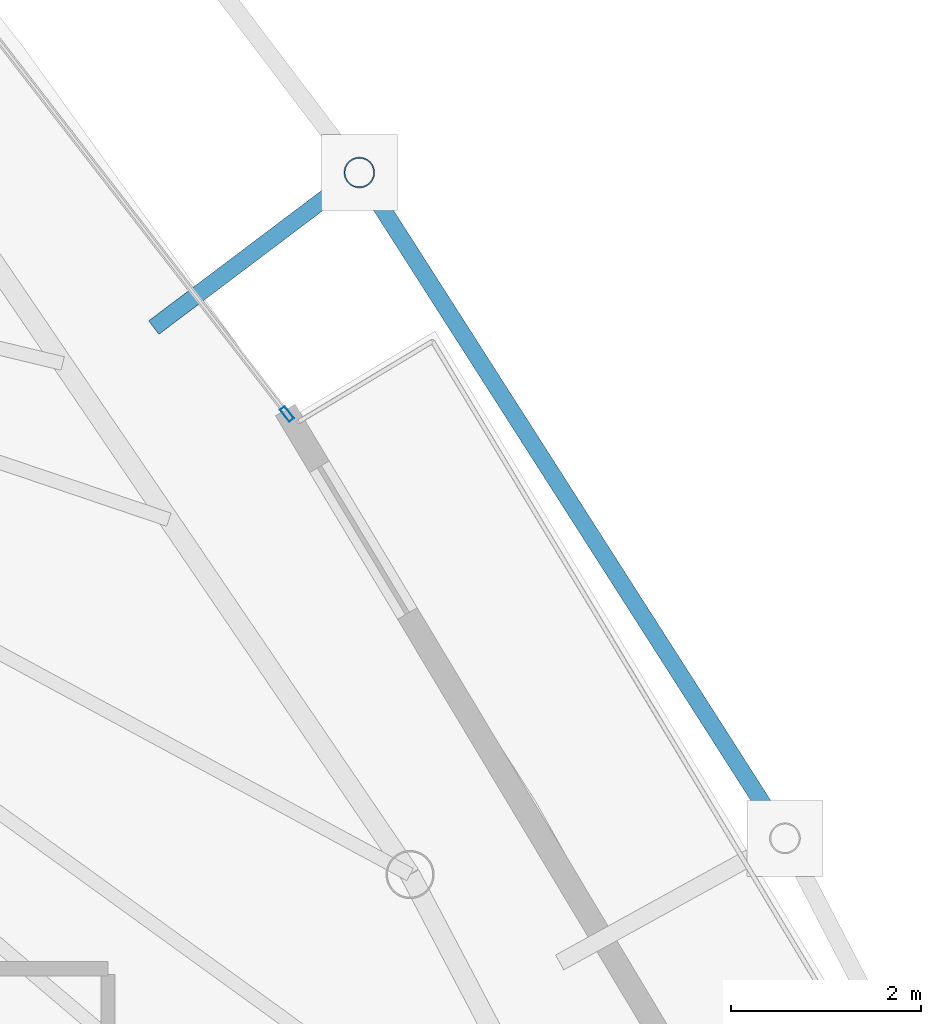
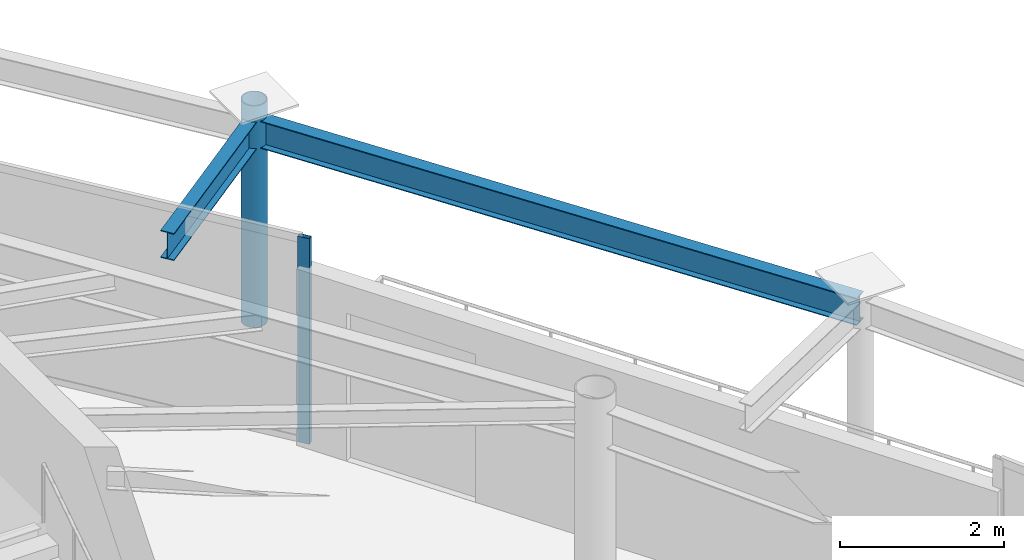
# One storey, part 19 of 29: 2 beams, 2 members, 1 element without a shape of its own.
"""IFC4 building model written with IfcOpenShell, lengths in metres."""

from ifc_helpers import new_model, si_unit, direction, frame, origin, origin_2d, place, context, subcontext, project, spatial, hollow_rectangle, hollow_circle, i_section, extrude, material, layer, layer_set, material_profile, profile_set, type_object, element, aggregate, save


model = new_model("IFC4")

# Units and contexts
model_context = context("Model", 3, precision=1e-05, world=origin(), true_north=direction((0.0, 1.0)))
body_context = subcontext(model_context, "Body", "Model", "MODEL_VIEW")
ifc_project = project(units=[si_unit("LENGTHUNIT", "METRE"), si_unit("AREAUNIT", "SQUARE_METRE"), si_unit("VOLUMEUNIT", "CUBIC_METRE"), si_unit("PLANEANGLEUNIT", "RADIAN"), si_unit("MASSUNIT", "GRAM", prefix="KILO")], contexts=[model_context])

# Site, building, storey
site_placement = place(None, origin())
site = spatial("IfcSite", under=ifc_project, at=site_placement, CompositionType="ELEMENT")
building_placement = place(site_placement, origin())
building = spatial("IfcBuilding", under=site, at=building_placement, Name="Orvanel Arch Residences", CompositionType="ELEMENT")
storey_placement = place(building_placement, frame((0.0, 0.0, 256.85009765625)))
storey = spatial("IfcBuildingStorey", under=building, at=storey_placement, Name="L73", CompositionType="ELEMENT", Elevation=256.85009765625)

# Curtain wall, member
ifc_material_1 = material(Name="Bronze-anodised aluminium AA6063-T6", Category="aluminium")
ifc_layer = layer(ifc_material_1, 0.175048828125)
ifc_layer_set = layer_set([ifc_layer], Name="Bronze-anodised aluminium AA6063-T6")
curtain_wall_type = type_object("IfcCurtainWallType", Name="CW4-HI-SYS", PredefinedType="NOTDEFINED", material=ifc_layer_set)
curtain_wall_placement = place(storey_placement, origin())
curtain_wall = element("IfcCurtainWall", 1, at=curtain_wall_placement, inside=storey, type_object=curtain_wall_type, Name="L73 CW4-HI-SYS Unitised Curtain Wall", PredefinedType="NOTDEFINED")
ifc_material_profile_1 = material_profile(ifc_material_1, hollow_rectangle(XDim=0.06494140625, YDim=0.159912109375, WallThickness=0.00390625, at=origin_2d()), Name="ALU160x65x4")
ifc_profile_set_1 = profile_set([ifc_material_profile_1], Name="Bronze-anodised aluminium AA6063-T6")
member_type_1 = type_object("IfcMemberType", Name="MUL-160x65", PredefinedType="MULLION", material=ifc_profile_set_1)
member_1_placement = place(storey_placement, frame((44.13623046875, 32.48974609375, 0.0), z_axis=(0.0, 0.0, 1.0), x_axis=(-0.791336812136, -0.611380446006, 0.0)))
member_1 = element("IfcMember", 2, at=member_1_placement, type_object=member_type_1, Name="CW-S4 mullion 1", PredefinedType="MULLION", context=body_context, shape_type="SweptSolid", body=[
    extrude(hollow_rectangle(XDim=0.06494140625, YDim=0.159912109375, WallThickness=0.00390625, at=origin_2d()), origin(), (0.0, 0.0, 1.0), 3.059814453125),
])
aggregate(curtain_wall, [member_1])

# Beams
ifc_material_2 = material(Name="Structural steel AS/NZS 3679.1 Grade 300 (300 MPa)", Category="steel")
ifc_material_profile_2 = material_profile(ifc_material_2, i_section(OverallWidth=0.177978515625, OverallDepth=0.406005859375, WebThickness=0.0078125, FlangeThickness=0.0126953125, at=origin_2d()), Name="410UB59.7")
ifc_profile_set_2 = profile_set([ifc_material_profile_2], Name="Structural steel AS/NZS 3679.1 Grade 300 (300 MPa)")
beam_type = type_object("IfcBeamType", Name="OB-410UB-EXT", PredefinedType="SPANDREL", material=ifc_profile_set_2)
beam_1_placement = place(storey_placement, frame((49.376953125, 28.02294921875, 2.85693359375), z_axis=(-0.538612173863, 0.84255381203, 0.0), x_axis=(-0.84255381203, -0.538612173863, 0.0)))
element("IfcBeam", 3, at=beam_1_placement, inside=storey, type_object=beam_type, Name="L73 Outer Perimeter Floor Ring Beam 10", PredefinedType="SPANDREL", context=body_context, shape_type="SweptSolid", body=[
    extrude(i_section(OverallWidth=0.177978515625, OverallDepth=0.406005859375, WebThickness=0.0078125, FlangeThickness=0.0126953125, at=origin_2d()), origin(), (0.0, 0.0, 1.0), 8.317626953125),
])
beam_2_placement = place(storey_placement, frame((42.73291015625, 33.39892578125, 2.85693359375), z_axis=(0.798397479438, 0.602130770537, 0.0), x_axis=(-0.602130770537, 0.798397479438, 0.0)))
element("IfcBeam", 4, at=beam_2_placement, inside=storey, type_object=beam_type, Name="L73 Outer Frame Radial Tie Beam 11", PredefinedType="SPANDREL", context=body_context, shape_type="SweptSolid", body=[
    extrude(i_section(OverallWidth=0.177978515625, OverallDepth=0.406005859375, WebThickness=0.0078125, FlangeThickness=0.0126953125, at=origin_2d()), origin(), (0.0, 0.0, 1.0), 2.71044921875),
])

# Member
ifc_material_3 = material(Name="Structural steel AS/NZS 1163 C350L0 (Grade 350)", Category="steel")
ifc_material_profile_3 = material_profile(ifc_material_3, hollow_circle(Radius=0.162109375, WallThickness=0.0126953125, at=origin_2d()), Name="CHS324x12.7")
ifc_profile_set_3 = profile_set([ifc_material_profile_3], Name="Structural steel AS/NZS 1163 C350L0 (Grade 350)")
member_type_2 = type_object("IfcMemberType", Name="ST-324CHS-EXT", PredefinedType="STRUT", material=ifc_profile_set_3)
member_2_placement = place(storey_placement, frame((44.89697265625, 35.031005859375, 0.0), z_axis=(0.0, 0.0, 1.0), x_axis=(1.0, 0.0, 0.0)))
element("IfcMember", 5, at=member_2_placement, inside=storey, type_object=member_type_2, Name="L73 Outer Perimeter Frame Post 11", PredefinedType="STRUT", context=body_context, shape_type="SweptSolid", body=[
    extrude(hollow_circle(Radius=0.162109375, WallThickness=0.0126953125, at=origin_2d()), origin(), (0.0, 0.0, 1.0), 3.2998046875),
])

save(model, "model.ifc")
